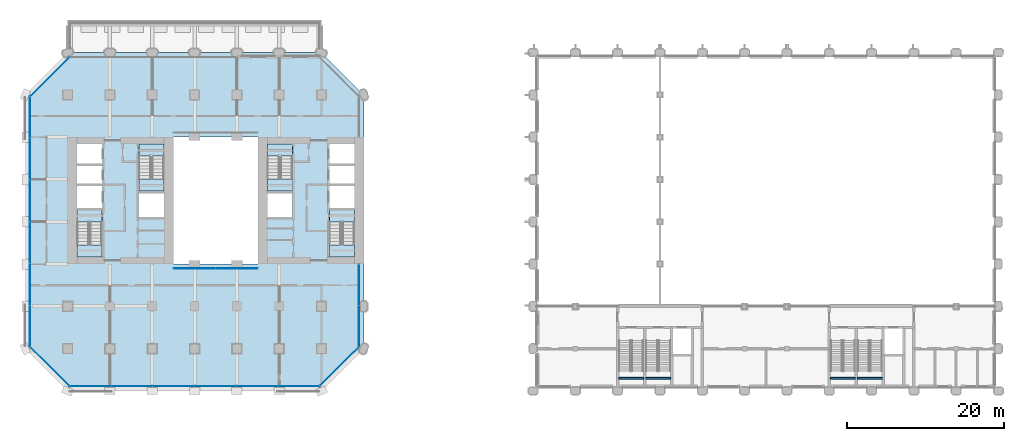
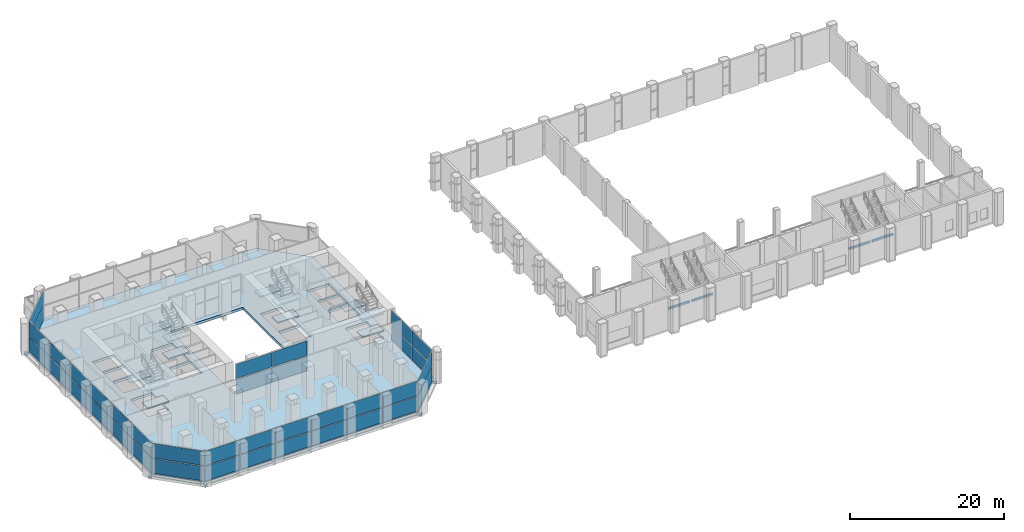
# One storey, part 10 of 27: 38 plates, 13 slabs, 4 beams, 11 elements without a shape of their own.
"""IFC4 building model written with IfcOpenShell, lengths in metres."""

import ifcopenshell
import ifcopenshell.guid

model = None  # the IFC model being written
_history = None  # IfcOwnerHistory: only IFC2X3 demands one
_inside = {}  # id of a spatial element -> (the spatial element, [elements in it])
_under = {}  # id of a project, library or spatial element -> (it, [spatial elements below it])
_declared = {}  # id of a project -> (the project, [libraries it declares])
_typed = {}  # id of a type object -> (the type object, [elements of that type])
_made_of = {}  # id of a material, layer set ... -> (it, [elements and type objects made of it])


def new_model(schema):
    """Start an empty IFC model of exactly this schema.

    Asked for "IFC4X3", IfcOpenShell would pick the latest addendum, in which some entities
    have other attributes; the version numbers below select the first issue.
    IFC2X3 requires an IfcOwnerHistory on every rooted entity: one is made here for all.
    """
    global model, _history
    if schema == "IFC4X3":
        model = ifcopenshell.file(schema_version=(4, 3, 0, 0))
    else:
        model = ifcopenshell.file(schema=schema)
    _inside.clear()
    _under.clear()
    _declared.clear()
    _typed.clear()
    _made_of.clear()
    _history = None
    if model.schema == "IFC2X3":
        org = make("IfcOrganization", Name="unknown")
        user = make(
            "IfcPersonAndOrganization",
            ThePerson=make("IfcPerson", FamilyName="unknown"),
            TheOrganization=org,
        )
        app = make(
            "IfcApplication",
            ApplicationDeveloper=org,
            Version="unknown",
            ApplicationFullName="unknown",
            ApplicationIdentifier="unknown",
        )
        _history = make(
            "IfcOwnerHistory",
            OwningUser=user,
            OwningApplication=app,
            ChangeAction="ADDED",
            CreationDate=0,
        )
    return model


def make(cls, **values):
    """One entity of the class cls with the attributes given. An attribute that is None is left unset."""
    return model.create_entity(
        cls, **{name: value for name, value in values.items() if value is not None}
    )


def rooted(cls, **values):
    """An entity with a GlobalId (a new one), such as an element, a storey or a relation."""
    return make(cls, GlobalId=ifcopenshell.guid.new(), OwnerHistory=_history, **values)


def si_unit(unit_type, name, prefix=None):
    """IfcSIUnit, for example si_unit("LENGTHUNIT", "METRE", prefix="MILLI")."""
    return make("IfcSIUnit", UnitType=unit_type, Prefix=prefix, Name=name)


def assignment(units):
    """IfcUnitAssignment: the units of a project."""
    return None if units is None else make("IfcUnitAssignment", Units=units)


def point(xyz):
    """IfcCartesianPoint."""
    return None if xyz is None else make("IfcCartesianPoint", Coordinates=xyz)


def direction(xyz):
    """IfcDirection."""
    return None if xyz is None else make("IfcDirection", DirectionRatios=xyz)


def frame(location, z_axis=None, x_axis=None):
    """IfcAxis2Placement3D, a coordinate frame: its origin and axes. An axis left out is left unset."""
    return make(
        "IfcAxis2Placement3D",
        Location=point(location),
        Axis=direction(z_axis),
        RefDirection=direction(x_axis),
    )


def frame_2d(location, x_axis=None):
    """IfcAxis2Placement2D, a coordinate frame in the plane: its origin and x axis."""
    return make(
        "IfcAxis2Placement2D", Location=point(location), RefDirection=direction(x_axis)
    )


def origin():
    """The frame at (0, 0, 0) with its axes left unset."""
    return frame((0.0, 0.0, 0.0))


def origin_2d():
    """The frame at (0, 0) in the plane with its x axis left unset."""
    return frame_2d((0.0, 0.0))


def place(relative_to, where):
    """IfcLocalPlacement: puts the frame where relative to a parent placement (None: the world)."""
    return make(
        "IfcLocalPlacement", PlacementRelTo=relative_to, RelativePlacement=where
    )


def context(
    kind, dimensions, precision=None, world=None, true_north=None, identifier=None
):
    """IfcGeometricRepresentationContext, for example the 3D "Model" context."""
    return make(
        "IfcGeometricRepresentationContext",
        ContextIdentifier=identifier,
        ContextType=kind,
        CoordinateSpaceDimension=dimensions,
        Precision=precision,
        WorldCoordinateSystem=world,
        TrueNorth=true_north,
    )


def subcontext(parent, identifier, kind, view, scale=None):
    """IfcGeometricRepresentationSubContext, for example "Body" below "Model"."""
    return make(
        "IfcGeometricRepresentationSubContext",
        ContextIdentifier=identifier,
        ContextType=kind,
        ParentContext=parent,
        TargetScale=scale,
        TargetView=view,
    )


def project(units=None, contexts=None):
    """IfcProject with its units and contexts."""
    return rooted(
        "IfcProject",
        Name="project",
        RepresentationContexts=contexts,
        UnitsInContext=assignment(units),
    )


def spatial(cls, under=None, at=None, **own):
    """A site, building, storey or space (cls), placed at a placement, below another one or the project."""
    s = rooted(cls, ObjectPlacement=at, **own)
    if under is not None:
        _under.setdefault(under.id(), (under, []))[1].append(s)
    return s


def polyline(points):
    """IfcPolyline through the points."""
    return make("IfcPolyline", Points=[point(p) for p in points])


def profile(cls, at=None, kind="AREA", **sizes):
    """A parametric profile (cls). Its sizes go by their IFC names, for example OverallWidth=200.0."""
    return make(cls, ProfileType=kind, Position=at, **sizes)


def rectangle(**sizes):
    """IfcRectangleProfileDef."""
    return profile("IfcRectangleProfileDef", **sizes)


def outline(outer, holes=None, kind="AREA"):
    """IfcArbitraryClosedProfileDef: a profile drawn as a closed curve; with holes, ...WithVoids."""
    if holes is None:
        return make("IfcArbitraryClosedProfileDef", ProfileType=kind, OuterCurve=outer)
    return make(
        "IfcArbitraryProfileDefWithVoids",
        ProfileType=kind,
        OuterCurve=outer,
        InnerCurves=holes,
    )


def extrude(swept, where, along, depth):
    """IfcExtrudedAreaSolid: the profile swept, set in the frame where, extruded along a direction by depth."""
    return make(
        "IfcExtrudedAreaSolid",
        SweptArea=swept,
        Position=where,
        ExtrudedDirection=direction(along),
        Depth=depth,
    )


def shape(context_of_items, identifier, shape_type, items):
    """IfcShapeRepresentation: the items that make up one representation, for example the "Body"."""
    return make(
        "IfcShapeRepresentation",
        ContextOfItems=context_of_items,
        RepresentationIdentifier=identifier,
        RepresentationType=shape_type,
        Items=items,
    )


def material(Name=None, Category=None):
    """IfcMaterial."""
    return make("IfcMaterial", Name=Name, Category=Category)


def layer(
    of_material, thickness, ventilated=None, Name=None, Category=None, Priority=None
):
    """IfcMaterialLayer: one layer of a wall or slab, of a material (None: an air gap)."""
    return make(
        "IfcMaterialLayer",
        Material=of_material,
        LayerThickness=thickness,
        IsVentilated=ventilated,
        Name=Name,
        Category=Category,
        Priority=Priority,
    )


def layer_set(layers, Name=None):
    """IfcMaterialLayerSet."""
    return make("IfcMaterialLayerSet", MaterialLayers=layers, LayerSetName=Name)


def material_profile(
    of_material, cross_section, Name=None, Category=None, Priority=None
):
    """IfcMaterialProfile: a cross section and its material."""
    return make(
        "IfcMaterialProfile",
        Name=Name,
        Material=of_material,
        Profile=cross_section,
        Priority=Priority,
        Category=Category,
    )


def profile_set(profiles, Name=None, composite=None):
    """IfcMaterialProfileSet."""
    return make(
        "IfcMaterialProfileSet",
        Name=Name,
        MaterialProfiles=profiles,
        CompositeProfile=composite,
    )


def made_of(thing, what):
    """Note that an element or type object is made of a material, layer set ...; save() writes the relation."""
    if what is not None:
        _made_of.setdefault(what.id(), (what, []))[1].append(thing)
    return thing


def type_object(cls, material=None, **own):
    """A type object (cls), such as IfcWallType, which elements share."""
    return made_of(rooted(cls, **own), material)


def element(
    cls,
    number,
    at=None,
    inside=None,
    cuts=None,
    type_object=None,
    material=None,
    context=None,
    identifier="Body",
    shape_type=None,
    held_by="IfcProductDefinitionShape",
    body=None,
    shapes=None,
    **own,
):
    """One element of the class cls, such as IfcWall. Its Tag is "e" and its number.

    at: its placement. inside: the storey or other place that contains it. cuts: it is an
    opening in that element (IfcRelVoidsElement). A single representation is given by context,
    identifier, shape_type and body (its items); several are given by shapes. held_by: the class
    of the entity that holds the representations. save() writes the other relations.
    """
    e = rooted(cls, Tag="e%d" % number, ObjectPlacement=at, **own)
    if body is not None:
        shapes = [shape(context, identifier, shape_type, body)]
    if shapes is not None:
        e.Representation = make(held_by, Representations=shapes)
    if inside is not None:
        _inside.setdefault(inside.id(), (inside, []))[1].append(e)
    if cuts is not None:
        rooted(
            "IfcRelVoidsElement", RelatingBuildingElement=cuts, RelatedOpeningElement=e
        )
    if type_object is not None:
        _typed.setdefault(type_object.id(), (type_object, []))[1].append(e)
    return made_of(e, material)


def aggregate(whole, parts):
    """IfcRelAggregates: a whole, such as a stair, and the parts it consists of."""
    return rooted("IfcRelAggregates", RelatingObject=whole, RelatedObjects=parts)


def save(model, path):
    """Write the relations noted so far, then the file.

    IfcRelAggregates (storeys below a building ...), IfcRelContainedInSpatialStructure (elements
    in a storey), IfcRelDefinesByType, IfcRelAssociatesMaterial and IfcRelDeclares: one each for
    every whole, place, type object, material and project.
    """
    for whole, parts in _under.values():
        aggregate(whole, parts)
    for where, things in _inside.values():
        rooted(
            "IfcRelContainedInSpatialStructure",
            RelatedElements=things,
            RelatingStructure=where,
        )
    for kind, things in _typed.values():
        rooted("IfcRelDefinesByType", RelatedObjects=things, RelatingType=kind)
    for what, things in _made_of.values():
        rooted("IfcRelAssociatesMaterial", RelatedObjects=things, RelatingMaterial=what)
    for by, libraries in _declared.values():
        rooted("IfcRelDeclares", RelatingContext=by, RelatedDefinitions=libraries)
    model.write(path)


model = new_model("IFC4")

# Units and contexts
model_context = context("Model", 3, precision=1e-05, world=origin(), true_north=direction((0.0, 1.0)))
body_context = subcontext(model_context, "Body", "Model", "MODEL_VIEW")
ifc_project = project(units=[si_unit("LENGTHUNIT", "METRE"), si_unit("AREAUNIT", "SQUARE_METRE"), si_unit("VOLUMEUNIT", "CUBIC_METRE"), si_unit("PLANEANGLEUNIT", "RADIAN"), si_unit("MASSUNIT", "GRAM", prefix="KILO")], contexts=[model_context])

# Site, building, storey
site_placement = place(None, origin())
site = spatial("IfcSite", under=ifc_project, at=site_placement, CompositionType="ELEMENT")
building_placement = place(site_placement, origin())
building = spatial("IfcBuilding", under=site, at=building_placement, Name="Tabaq Tower and Sports Hall", CompositionType="ELEMENT")
storey_placement = place(building_placement, frame((0.0, 0.0, 14.39990234375)))
storey = spatial("IfcBuildingStorey", under=building, at=storey_placement, Name="L02", CompositionType="ELEMENT", Elevation=14.39990234375)

# Beams
ifc_material_1 = material(Name="Concrete C50/60", Category="concrete")
ifc_material_profile = material_profile(ifc_material_1, rectangle(XDim=0.25, YDim=0.300048828125, at=origin_2d()), Name="RC 250x300")
ifc_profile_set = profile_set([ifc_material_profile], Name="Concrete C50/60")
beam_type = type_object("IfcBeamType", Name="HALL STAIR LANDING BEAM 250x300", PredefinedType="BEAM", material=ifc_profile_set)
beam_1_placement = place(storey_placement, frame((75.75, 1.639892578125, 2.35009765625), z_axis=(1.0, 0.0, 0.0), x_axis=(0.0, 1.0, 0.0)))
element("IfcBeam", 1, at=beam_1_placement, inside=storey, type_object=beam_type, Name="L02 ST-H1 landing beam 1", PredefinedType="BEAM", context=body_context, shape_type="SweptSolid", body=[
    extrude(rectangle(XDim=0.25, YDim=0.300048828125, at=origin_2d()), origin(), (0.0, 0.0, 1.0), 3.14990234375),
])
beam_2_placement = place(storey_placement, frame((79.199951171875, 1.639892578125, 2.35009765625), z_axis=(1.0, 0.0, 0.0), x_axis=(0.0, 1.0, 0.0)))
element("IfcBeam", 2, at=beam_2_placement, inside=storey, type_object=beam_type, Name="L02 ST-H2 landing beam 1", PredefinedType="BEAM", context=body_context, shape_type="SweptSolid", body=[
    extrude(rectangle(XDim=0.25, YDim=0.300048828125, at=origin_2d()), origin(), (0.0, 0.0, 1.0), 3.150146484375),
])
beam_3_placement = place(storey_placement, frame((102.75, 1.639892578125, 2.35009765625), z_axis=(1.0, 0.0, 0.0), x_axis=(0.0, 1.0, 0.0)))
element("IfcBeam", 3, at=beam_3_placement, inside=storey, type_object=beam_type, Name="L02 ST-H3 landing beam 1", PredefinedType="BEAM", context=body_context, shape_type="SweptSolid", body=[
    extrude(rectangle(XDim=0.25, YDim=0.300048828125, at=origin_2d()), origin(), (0.0, 0.0, 1.0), 3.14990234375),
])
beam_4_placement = place(storey_placement, frame((106.199951171875, 1.639892578125, 2.35009765625), z_axis=(1.0, 0.0, 0.0), x_axis=(0.0, 1.0, 0.0)))
element("IfcBeam", 4, at=beam_4_placement, inside=storey, type_object=beam_type, Name="L02 ST-H4 landing beam 1", PredefinedType="BEAM", context=body_context, shape_type="SweptSolid", body=[
    extrude(rectangle(XDim=0.25, YDim=0.300048828125, at=origin_2d()), origin(), (0.0, 0.0, 1.0), 3.150146484375),
])

# Curtain wall, plates
ifc_material_2 = material(Name="Aluminium alloy 6063-T6 framed glazing", Category="aluminium")
curtain_wall_type_1 = type_object("IfcCurtainWallType", Name="CW1 curtain wall", PredefinedType="USERDEFINED", material=ifc_material_2)
curtain_wall_1_placement = place(storey_placement, origin())
curtain_wall_1 = element("IfcCurtainWall", 5, at=curtain_wall_1_placement, inside=storey, type_object=curtain_wall_type_1, Name="Atrium glazing L02 S", ObjectType="ATRIUM ENCLOSURE", PredefinedType="USERDEFINED")
ifc_material_3 = material(Name="Clear low-emissivity glass 28 mm", Category="glass")
ifc_layer_1 = layer(ifc_material_3, 0.028076171875)
ifc_layer_set_1 = layer_set([ifc_layer_1], Name="CW1 glass panel 28")
plate_type_1 = type_object("IfcPlateType", Name="CW1 glass panel 28", PredefinedType="CURTAIN_PANEL", material=ifc_layer_set_1)
plate_1_placement = place(storey_placement, frame((21.614990234375, 15.64990234375, 0.14013671875), z_axis=(0.0, 0.0, 1.0), x_axis=(1.0, 0.0, 0.0)))
plate_1 = element("IfcPlate", 6, at=plate_1_placement, type_object=plate_type_1, Name="CW1 panel 1.1", PredefinedType="CURTAIN_PANEL", context=body_context, shape_type="SweptSolid", body=[
    extrude(rectangle(XDim=5.31005859375, YDim=0.028076171875, at=origin_2d()), origin(), (0.0, 0.0, 1.0), 2.2900390625),
])
plate_2_placement = place(storey_placement, frame((21.614990234375, 15.64990234375, 2.570068359375), z_axis=(0.0, 0.0, 1.0), x_axis=(1.0, 0.0, 0.0)))
plate_2 = element("IfcPlate", 7, at=plate_2_placement, type_object=plate_type_1, Name="CW1 panel 1.2", PredefinedType="CURTAIN_PANEL", context=body_context, shape_type="SweptSolid", body=[
    extrude(rectangle(XDim=5.31005859375, YDim=0.028076171875, at=origin_2d()), origin(), (0.0, 0.0, 1.0), 2.2900390625),
])
plate_3_placement = place(storey_placement, frame((26.985107421875, 15.64990234375, 0.14013671875), z_axis=(0.0, 0.0, 1.0), x_axis=(1.0, 0.0, 0.0)))
plate_3 = element("IfcPlate", 8, at=plate_3_placement, type_object=plate_type_1, Name="CW1 panel 2.1", PredefinedType="CURTAIN_PANEL", context=body_context, shape_type="SweptSolid", body=[
    extrude(rectangle(XDim=5.31005859375, YDim=0.028076171875, at=origin_2d()), origin(), (0.0, 0.0, 1.0), 2.2900390625),
])
plate_4_placement = place(storey_placement, frame((26.985107421875, 15.64990234375, 2.570068359375), z_axis=(0.0, 0.0, 1.0), x_axis=(1.0, 0.0, 0.0)))
plate_4 = element("IfcPlate", 9, at=plate_4_placement, type_object=plate_type_1, Name="CW1 panel 2.2", PredefinedType="CURTAIN_PANEL", context=body_context, shape_type="SweptSolid", body=[
    extrude(rectangle(XDim=5.31005859375, YDim=0.028076171875, at=origin_2d()), origin(), (0.0, 0.0, 1.0), 2.2900390625),
])
aggregate(curtain_wall_1, [plate_1, plate_2, plate_3, plate_4])

ifc_material_4 = material(Name="Aluminium alloy 6063-T6 framed glazing", Category="aluminium")
curtain_wall_type_2 = type_object("IfcCurtainWallType", Name="CW7 curtain wall", PredefinedType="USERDEFINED", material=ifc_material_4)
curtain_wall_2_placement = place(storey_placement, origin())
curtain_wall_2 = element("IfcCurtainWall", 10, at=curtain_wall_2_placement, inside=storey, type_object=curtain_wall_type_2, Name="Podium Wall L02 S", ObjectType="PODIUM WALL", PredefinedType="USERDEFINED")
ifc_material_5 = material(Name="Clear low-emissivity glass 28 mm", Category="glass")
ifc_layer_2 = layer(ifc_material_5, 0.030029296875)
ifc_layer_set_2 = layer_set([ifc_layer_2], Name="CW7 glass panel 30")
plate_type_2 = type_object("IfcPlateType", Name="CW7 glass panel 30", PredefinedType="CURTAIN_PANEL", material=ifc_layer_set_2)
plate_5_placement = place(storey_placement, frame((8.271484375, 0.60009765625, 0.14013671875), z_axis=(0.0, 0.0, 1.0), x_axis=(1.0, 0.0, 0.0)))
plate_5 = element("IfcPlate", 11, at=plate_5_placement, type_object=plate_type_2, Name="CW7 panel 1.1", PredefinedType="CURTAIN_PANEL", context=body_context, shape_type="SweptSolid", body=[
    extrude(rectangle(XDim=5.240478515625, YDim=0.030029296875, at=origin_2d()), origin(), (0.0, 0.0, 1.0), 2.2900390625),
])
plate_6_placement = place(storey_placement, frame((8.271484375, 0.60009765625, 2.570068359375), z_axis=(0.0, 0.0, 1.0), x_axis=(1.0, 0.0, 0.0)))
plate_6 = element("IfcPlate", 12, at=plate_6_placement, type_object=plate_type_2, Name="CW7 panel 1.2", PredefinedType="CURTAIN_PANEL", context=body_context, shape_type="SweptSolid", body=[
    extrude(rectangle(XDim=5.240478515625, YDim=0.030029296875, at=origin_2d()), origin(), (0.0, 0.0, 1.0), 2.2900390625),
])
plate_7_placement = place(storey_placement, frame((13.59326171875, 0.60009765625, 0.14013671875), z_axis=(0.0, 0.0, 1.0), x_axis=(1.0, 0.0, 0.0)))
plate_7 = element("IfcPlate", 13, at=plate_7_placement, type_object=plate_type_2, Name="CW7 panel 2.1", PredefinedType="CURTAIN_PANEL", context=body_context, shape_type="SweptSolid", body=[
    extrude(rectangle(XDim=5.27294921875, YDim=0.030029296875, at=origin_2d()), origin(), (0.0, 0.0, 1.0), 2.2900390625),
])
plate_8_placement = place(storey_placement, frame((13.59326171875, 0.60009765625, 2.570068359375), z_axis=(0.0, 0.0, 1.0), x_axis=(1.0, 0.0, 0.0)))
plate_8 = element("IfcPlate", 14, at=plate_8_placement, type_object=plate_type_2, Name="CW7 panel 2.2", PredefinedType="CURTAIN_PANEL", context=body_context, shape_type="SweptSolid", body=[
    extrude(rectangle(XDim=5.27294921875, YDim=0.030029296875, at=origin_2d()), origin(), (0.0, 0.0, 1.0), 2.2900390625),
])
plate_9_placement = place(storey_placement, frame((18.93115234375, 0.60009765625, 0.14013671875), z_axis=(0.0, 0.0, 1.0), x_axis=(1.0, 0.0, 0.0)))
plate_9 = element("IfcPlate", 15, at=plate_9_placement, type_object=plate_type_2, Name="CW7 panel 3.1", PredefinedType="CURTAIN_PANEL", context=body_context, shape_type="SweptSolid", body=[
    extrude(rectangle(XDim=5.27294921875, YDim=0.030029296875, at=origin_2d()), origin(), (0.0, 0.0, 1.0), 2.2900390625),
])
plate_10_placement = place(storey_placement, frame((18.93115234375, 0.60009765625, 2.570068359375), z_axis=(0.0, 0.0, 1.0), x_axis=(1.0, 0.0, 0.0)))
plate_10 = element("IfcPlate", 16, at=plate_10_placement, type_object=plate_type_2, Name="CW7 panel 3.2", PredefinedType="CURTAIN_PANEL", context=body_context, shape_type="SweptSolid", body=[
    extrude(rectangle(XDim=5.27294921875, YDim=0.030029296875, at=origin_2d()), origin(), (0.0, 0.0, 1.0), 2.2900390625),
])
plate_11_placement = place(storey_placement, frame((24.26904296875, 0.60009765625, 0.14013671875), z_axis=(0.0, 0.0, 1.0), x_axis=(1.0, 0.0, 0.0)))
plate_11 = element("IfcPlate", 17, at=plate_11_placement, type_object=plate_type_2, Name="CW7 panel 4.1", PredefinedType="CURTAIN_PANEL", context=body_context, shape_type="SweptSolid", body=[
    extrude(rectangle(XDim=5.27294921875, YDim=0.030029296875, at=origin_2d()), origin(), (0.0, 0.0, 1.0), 2.2900390625),
])
plate_12_placement = place(storey_placement, frame((24.26904296875, 0.60009765625, 2.570068359375), z_axis=(0.0, 0.0, 1.0), x_axis=(1.0, 0.0, 0.0)))
plate_12 = element("IfcPlate", 18, at=plate_12_placement, type_object=plate_type_2, Name="CW7 panel 4.2", PredefinedType="CURTAIN_PANEL", context=body_context, shape_type="SweptSolid", body=[
    extrude(rectangle(XDim=5.27294921875, YDim=0.030029296875, at=origin_2d()), origin(), (0.0, 0.0, 1.0), 2.2900390625),
])
plate_13_placement = place(storey_placement, frame((29.606689453125, 0.60009765625, 0.14013671875), z_axis=(0.0, 0.0, 1.0), x_axis=(1.0, 0.0, 0.0)))
plate_13 = element("IfcPlate", 19, at=plate_13_placement, type_object=plate_type_2, Name="CW7 panel 5.1", PredefinedType="CURTAIN_PANEL", context=body_context, shape_type="SweptSolid", body=[
    extrude(rectangle(XDim=5.27294921875, YDim=0.030029296875, at=origin_2d()), origin(), (0.0, 0.0, 1.0), 2.2900390625),
])
plate_14_placement = place(storey_placement, frame((29.606689453125, 0.60009765625, 2.570068359375), z_axis=(0.0, 0.0, 1.0), x_axis=(1.0, 0.0, 0.0)))
plate_14 = element("IfcPlate", 20, at=plate_14_placement, type_object=plate_type_2, Name="CW7 panel 5.2", PredefinedType="CURTAIN_PANEL", context=body_context, shape_type="SweptSolid", body=[
    extrude(rectangle(XDim=5.27294921875, YDim=0.030029296875, at=origin_2d()), origin(), (0.0, 0.0, 1.0), 2.2900390625),
])
plate_15_placement = place(storey_placement, frame((34.928466796875, 0.60009765625, 0.14013671875), z_axis=(0.0, 0.0, 1.0), x_axis=(1.0, 0.0, 0.0)))
plate_15 = element("IfcPlate", 21, at=plate_15_placement, type_object=plate_type_2, Name="CW7 panel 6.1", PredefinedType="CURTAIN_PANEL", context=body_context, shape_type="SweptSolid", body=[
    extrude(rectangle(XDim=5.240478515625, YDim=0.030029296875, at=origin_2d()), origin(), (0.0, 0.0, 1.0), 2.2900390625),
])
plate_16_placement = place(storey_placement, frame((34.928466796875, 0.60009765625, 2.570068359375), z_axis=(0.0, 0.0, 1.0), x_axis=(1.0, 0.0, 0.0)))
plate_16 = element("IfcPlate", 22, at=plate_16_placement, type_object=plate_type_2, Name="CW7 panel 6.2", PredefinedType="CURTAIN_PANEL", context=body_context, shape_type="SweptSolid", body=[
    extrude(rectangle(XDim=5.240478515625, YDim=0.030029296875, at=origin_2d()), origin(), (0.0, 0.0, 1.0), 2.2900390625),
])
aggregate(curtain_wall_2, [plate_5, plate_6, plate_7, plate_8, plate_9, plate_10, plate_11, plate_12, plate_13, plate_14, plate_15, plate_16])

curtain_wall_3_placement = place(storey_placement, origin())
curtain_wall_3 = element("IfcCurtainWall", 23, at=curtain_wall_3_placement, inside=storey, type_object=curtain_wall_type_2, Name="Podium Wall L02 SE", ObjectType="PODIUM WALL", PredefinedType="USERDEFINED")
plate_17_placement = place(storey_placement, frame((40.07568359375, 3.124267578125, 0.14013671875), z_axis=(0.0, 0.0, 1.0), x_axis=(0.707106781187, 0.707106781187, 0.0)))
plate_17 = element("IfcPlate", 24, at=plate_17_placement, type_object=plate_type_2, Name="CW7 panel 1.1", PredefinedType="CURTAIN_PANEL", context=body_context, shape_type="SweptSolid", body=[
    extrude(rectangle(XDim=7.009765625, YDim=0.030029296875, at=origin_2d()), origin(), (0.0, 0.0, 1.0), 2.2900390625),
])
plate_18_placement = place(storey_placement, frame((40.07568359375, 3.124267578125, 2.570068359375), z_axis=(0.0, 0.0, 1.0), x_axis=(0.707106781187, 0.707106781187, 0.0)))
plate_18 = element("IfcPlate", 25, at=plate_18_placement, type_object=plate_type_2, Name="CW7 panel 1.2", PredefinedType="CURTAIN_PANEL", context=body_context, shape_type="SweptSolid", body=[
    extrude(rectangle(XDim=7.009765625, YDim=0.030029296875, at=origin_2d()), origin(), (0.0, 0.0, 1.0), 2.2900390625),
])
aggregate(curtain_wall_3, [plate_17, plate_18])

curtain_wall_4_placement = place(storey_placement, origin())
curtain_wall_4 = element("IfcCurtainWall", 26, at=curtain_wall_4_placement, inside=storey, type_object=curtain_wall_type_2, Name="Podium Wall L02 E", ObjectType="PODIUM WALL", PredefinedType="USERDEFINED")
plate_19_placement = place(storey_placement, frame((42.60009765625, 8.256103515625, 0.14013671875), z_axis=(0.0, 0.0, 1.0), x_axis=(0.0, 1.0, 0.0)))
plate_19 = element("IfcPlate", 27, at=plate_19_placement, type_object=plate_type_2, Name="CW7 panel 1.1", PredefinedType="CURTAIN_PANEL", context=body_context, shape_type="SweptSolid", body=[
    extrude(rectangle(XDim=5.209228515625, YDim=0.030029296875, at=origin_2d()), origin(), (0.0, 0.0, 1.0), 2.2900390625),
])
plate_20_placement = place(storey_placement, frame((42.60009765625, 8.256103515625, 2.570068359375), z_axis=(0.0, 0.0, 1.0), x_axis=(0.0, 1.0, 0.0)))
plate_20 = element("IfcPlate", 28, at=plate_20_placement, type_object=plate_type_2, Name="CW7 panel 1.2", PredefinedType="CURTAIN_PANEL", context=body_context, shape_type="SweptSolid", body=[
    extrude(rectangle(XDim=5.209228515625, YDim=0.030029296875, at=origin_2d()), origin(), (0.0, 0.0, 1.0), 2.2900390625),
])
plate_21_placement = place(storey_placement, frame((42.60009765625, 13.5302734375, 0.14013671875), z_axis=(0.0, 0.0, 1.0), x_axis=(0.0, 1.0, 0.0)))
plate_21 = element("IfcPlate", 29, at=plate_21_placement, type_object=plate_type_2, Name="CW7 panel 2.1", PredefinedType="CURTAIN_PANEL", context=body_context, shape_type="SweptSolid", body=[
    extrude(rectangle(XDim=5.209228515625, YDim=0.030029296875, at=origin_2d()), origin(), (0.0, 0.0, 1.0), 2.2900390625),
])
plate_22_placement = place(storey_placement, frame((42.60009765625, 13.5302734375, 2.570068359375), z_axis=(0.0, 0.0, 1.0), x_axis=(0.0, 1.0, 0.0)))
plate_22 = element("IfcPlate", 30, at=plate_22_placement, type_object=plate_type_2, Name="CW7 panel 2.2", PredefinedType="CURTAIN_PANEL", context=body_context, shape_type="SweptSolid", body=[
    extrude(rectangle(XDim=5.209228515625, YDim=0.030029296875, at=origin_2d()), origin(), (0.0, 0.0, 1.0), 2.2900390625),
])
aggregate(curtain_wall_4, [plate_19, plate_20, plate_21, plate_22])

curtain_wall_5_placement = place(storey_placement, origin())
curtain_wall_5 = element("IfcCurtainWall", 31, at=curtain_wall_5_placement, inside=storey, type_object=curtain_wall_type_2, Name="Podium Wall L02 NW", ObjectType="PODIUM WALL", PredefinedType="USERDEFINED")
plate_23_placement = place(storey_placement, frame((3.124267578125, 40.07568359375, 0.14013671875), z_axis=(0.0, 0.0, 1.0), x_axis=(-0.707106781187, -0.707106781187, 0.0)))
plate_23 = element("IfcPlate", 32, at=plate_23_placement, type_object=plate_type_2, Name="CW7 panel 1.1", PredefinedType="CURTAIN_PANEL", context=body_context, shape_type="SweptSolid", body=[
    extrude(rectangle(XDim=7.009765625, YDim=0.030029296875, at=origin_2d()), origin(), (0.0, 0.0, 1.0), 2.2900390625),
])
plate_24_placement = place(storey_placement, frame((3.124267578125, 40.07568359375, 2.570068359375), z_axis=(0.0, 0.0, 1.0), x_axis=(-0.707106781187, -0.707106781187, 0.0)))
plate_24 = element("IfcPlate", 33, at=plate_24_placement, type_object=plate_type_2, Name="CW7 panel 1.2", PredefinedType="CURTAIN_PANEL", context=body_context, shape_type="SweptSolid", body=[
    extrude(rectangle(XDim=7.009765625, YDim=0.030029296875, at=origin_2d()), origin(), (0.0, 0.0, 1.0), 2.2900390625),
])
aggregate(curtain_wall_5, [plate_23, plate_24])

curtain_wall_6_placement = place(storey_placement, origin())
curtain_wall_6 = element("IfcCurtainWall", 34, at=curtain_wall_6_placement, inside=storey, type_object=curtain_wall_type_2, Name="Podium Wall L02 W", ObjectType="PODIUM WALL", PredefinedType="USERDEFINED")
plate_25_placement = place(storey_placement, frame((0.60009765625, 34.928466796875, 0.14013671875), z_axis=(0.0, 0.0, 1.0), x_axis=(0.0, -1.0, 0.0)))
plate_25 = element("IfcPlate", 35, at=plate_25_placement, type_object=plate_type_2, Name="CW7 panel 1.1", PredefinedType="CURTAIN_PANEL", context=body_context, shape_type="SweptSolid", body=[
    extrude(rectangle(XDim=5.240478515625, YDim=0.030029296875, at=origin_2d()), origin(), (0.0, 0.0, 1.0), 2.2900390625),
])
plate_26_placement = place(storey_placement, frame((0.60009765625, 34.928466796875, 2.570068359375), z_axis=(0.0, 0.0, 1.0), x_axis=(0.0, -1.0, 0.0)))
plate_26 = element("IfcPlate", 36, at=plate_26_placement, type_object=plate_type_2, Name="CW7 panel 1.2", PredefinedType="CURTAIN_PANEL", context=body_context, shape_type="SweptSolid", body=[
    extrude(rectangle(XDim=5.240478515625, YDim=0.030029296875, at=origin_2d()), origin(), (0.0, 0.0, 1.0), 2.2900390625),
])
plate_27_placement = place(storey_placement, frame((0.60009765625, 29.606689453125, 0.14013671875), z_axis=(0.0, 0.0, 1.0), x_axis=(0.0, -1.0, 0.0)))
plate_27 = element("IfcPlate", 37, at=plate_27_placement, type_object=plate_type_2, Name="CW7 panel 2.1", PredefinedType="CURTAIN_PANEL", context=body_context, shape_type="SweptSolid", body=[
    extrude(rectangle(XDim=5.27294921875, YDim=0.030029296875, at=origin_2d()), origin(), (0.0, 0.0, 1.0), 2.2900390625),
])
plate_28_placement = place(storey_placement, frame((0.60009765625, 29.606689453125, 2.570068359375), z_axis=(0.0, 0.0, 1.0), x_axis=(0.0, -1.0, 0.0)))
plate_28 = element("IfcPlate", 38, at=plate_28_placement, type_object=plate_type_2, Name="CW7 panel 2.2", PredefinedType="CURTAIN_PANEL", context=body_context, shape_type="SweptSolid", body=[
    extrude(rectangle(XDim=5.27294921875, YDim=0.030029296875, at=origin_2d()), origin(), (0.0, 0.0, 1.0), 2.2900390625),
])
plate_29_placement = place(storey_placement, frame((0.60009765625, 24.26904296875, 0.14013671875), z_axis=(0.0, 0.0, 1.0), x_axis=(0.0, -1.0, 0.0)))
plate_29 = element("IfcPlate", 39, at=plate_29_placement, type_object=plate_type_2, Name="CW7 panel 3.1", PredefinedType="CURTAIN_PANEL", context=body_context, shape_type="SweptSolid", body=[
    extrude(rectangle(XDim=5.27294921875, YDim=0.030029296875, at=origin_2d()), origin(), (0.0, 0.0, 1.0), 2.2900390625),
])
plate_30_placement = place(storey_placement, frame((0.60009765625, 24.26904296875, 2.570068359375), z_axis=(0.0, 0.0, 1.0), x_axis=(0.0, -1.0, 0.0)))
plate_30 = element("IfcPlate", 40, at=plate_30_placement, type_object=plate_type_2, Name="CW7 panel 3.2", PredefinedType="CURTAIN_PANEL", context=body_context, shape_type="SweptSolid", body=[
    extrude(rectangle(XDim=5.27294921875, YDim=0.030029296875, at=origin_2d()), origin(), (0.0, 0.0, 1.0), 2.2900390625),
])
plate_31_placement = place(storey_placement, frame((0.60009765625, 18.93115234375, 0.14013671875), z_axis=(0.0, 0.0, 1.0), x_axis=(0.0, -1.0, 0.0)))
plate_31 = element("IfcPlate", 41, at=plate_31_placement, type_object=plate_type_2, Name="CW7 panel 4.1", PredefinedType="CURTAIN_PANEL", context=body_context, shape_type="SweptSolid", body=[
    extrude(rectangle(XDim=5.27294921875, YDim=0.030029296875, at=origin_2d()), origin(), (0.0, 0.0, 1.0), 2.2900390625),
])
plate_32_placement = place(storey_placement, frame((0.60009765625, 18.93115234375, 2.570068359375), z_axis=(0.0, 0.0, 1.0), x_axis=(0.0, -1.0, 0.0)))
plate_32 = element("IfcPlate", 42, at=plate_32_placement, type_object=plate_type_2, Name="CW7 panel 4.2", PredefinedType="CURTAIN_PANEL", context=body_context, shape_type="SweptSolid", body=[
    extrude(rectangle(XDim=5.27294921875, YDim=0.030029296875, at=origin_2d()), origin(), (0.0, 0.0, 1.0), 2.2900390625),
])
plate_33_placement = place(storey_placement, frame((0.60009765625, 13.59326171875, 0.14013671875), z_axis=(0.0, 0.0, 1.0), x_axis=(0.0, -1.0, 0.0)))
plate_33 = element("IfcPlate", 43, at=plate_33_placement, type_object=plate_type_2, Name="CW7 panel 5.1", PredefinedType="CURTAIN_PANEL", context=body_context, shape_type="SweptSolid", body=[
    extrude(rectangle(XDim=5.27294921875, YDim=0.030029296875, at=origin_2d()), origin(), (0.0, 0.0, 1.0), 2.2900390625),
])
plate_34_placement = place(storey_placement, frame((0.60009765625, 13.59326171875, 2.570068359375), z_axis=(0.0, 0.0, 1.0), x_axis=(0.0, -1.0, 0.0)))
plate_34 = element("IfcPlate", 44, at=plate_34_placement, type_object=plate_type_2, Name="CW7 panel 5.2", PredefinedType="CURTAIN_PANEL", context=body_context, shape_type="SweptSolid", body=[
    extrude(rectangle(XDim=5.27294921875, YDim=0.030029296875, at=origin_2d()), origin(), (0.0, 0.0, 1.0), 2.2900390625),
])
plate_35_placement = place(storey_placement, frame((0.60009765625, 8.271484375, 0.14013671875), z_axis=(0.0, 0.0, 1.0), x_axis=(0.0, -1.0, 0.0)))
plate_35 = element("IfcPlate", 45, at=plate_35_placement, type_object=plate_type_2, Name="CW7 panel 6.1", PredefinedType="CURTAIN_PANEL", context=body_context, shape_type="SweptSolid", body=[
    extrude(rectangle(XDim=5.240478515625, YDim=0.030029296875, at=origin_2d()), origin(), (0.0, 0.0, 1.0), 2.2900390625),
])
plate_36_placement = place(storey_placement, frame((0.60009765625, 8.271484375, 2.570068359375), z_axis=(0.0, 0.0, 1.0), x_axis=(0.0, -1.0, 0.0)))
plate_36 = element("IfcPlate", 46, at=plate_36_placement, type_object=plate_type_2, Name="CW7 panel 6.2", PredefinedType="CURTAIN_PANEL", context=body_context, shape_type="SweptSolid", body=[
    extrude(rectangle(XDim=5.240478515625, YDim=0.030029296875, at=origin_2d()), origin(), (0.0, 0.0, 1.0), 2.2900390625),
])
aggregate(curtain_wall_6, [plate_25, plate_26, plate_27, plate_28, plate_29, plate_30, plate_31, plate_32, plate_33, plate_34, plate_35, plate_36])

curtain_wall_7_placement = place(storey_placement, origin())
curtain_wall_7 = element("IfcCurtainWall", 47, at=curtain_wall_7_placement, inside=storey, type_object=curtain_wall_type_2, Name="Podium Wall L02 SW", ObjectType="PODIUM WALL", PredefinedType="USERDEFINED")
plate_37_placement = place(storey_placement, frame((3.124267578125, 3.124267578125, 0.14013671875), z_axis=(0.0, 0.0, 1.0), x_axis=(0.707106781187, -0.707106781187, 0.0)))
plate_37 = element("IfcPlate", 48, at=plate_37_placement, type_object=plate_type_2, Name="CW7 panel 1.1", PredefinedType="CURTAIN_PANEL", context=body_context, shape_type="SweptSolid", body=[
    extrude(rectangle(XDim=7.009765625, YDim=0.030029296875, at=origin_2d()), origin(), (0.0, 0.0, 1.0), 2.2900390625),
])
plate_38_placement = place(storey_placement, frame((3.124267578125, 3.124267578125, 2.570068359375), z_axis=(0.0, 0.0, 1.0), x_axis=(0.707106781187, -0.707106781187, 0.0)))
plate_38 = element("IfcPlate", 49, at=plate_38_placement, type_object=plate_type_2, Name="CW7 panel 1.2", PredefinedType="CURTAIN_PANEL", context=body_context, shape_type="SweptSolid", body=[
    extrude(rectangle(XDim=7.009765625, YDim=0.030029296875, at=origin_2d()), origin(), (0.0, 0.0, 1.0), 2.2900390625),
])
aggregate(curtain_wall_7, [plate_37, plate_38])

# Stair, slabs
ifc_material_6 = material(Name="Concrete C40/50", Category="concrete")
stair_type = type_object("IfcStairType", Name="Exit stair", PredefinedType="HALF_TURN_STAIR", material=ifc_material_6)
stair_1_placement = place(storey_placement, origin())
stair_1 = element("IfcStair", 50, at=stair_1_placement, inside=storey, type_object=stair_type, Name="L02 Exit stair ST1", PredefinedType="HALF_TURN_STAIR")
ifc_material_7 = material(Name="Concrete C40/50", Category="concrete")
ifc_layer_3 = layer(ifc_material_7, 0.199951171875)
ifc_layer_set_3 = layer_set([ifc_layer_3], Name="Exit stair landing")
slab_type_1 = type_object("IfcSlabType", Name="Exit stair landing", PredefinedType="LANDING", material=ifc_layer_set_3)
slab_1_placement = place(storey_placement, frame((0.0, 0.0, 1.150146484375)))
slab_1 = element("IfcSlab", 51, at=slab_1_placement, type_object=slab_type_1, Name="ST1 landing 1", PredefinedType="LANDING", context=body_context, shape_type="SweptSolid", body=[
    extrude(outline(polyline([(6.60009765625, 18.659912109375), (6.60009765625, 17.10009765625), (9.800048828125, 17.10009765625), (9.800048828125, 18.659912109375), (6.60009765625, 18.659912109375)])), origin(), (0.0, 0.0, 1.0), 0.199951171875),
])
slab_2_placement = place(storey_placement, frame((0.0, 0.0, 2.5)))
slab_2 = element("IfcSlab", 52, at=slab_2_placement, type_object=slab_type_1, Name="ST1 landing 2", PredefinedType="LANDING", context=body_context, shape_type="SweptSolid", body=[
    extrude(outline(polyline([(6.60009765625, 23.10009765625), (6.60009765625, 21.60009765625), (9.800048828125, 21.60009765625), (9.800048828125, 23.10009765625), (6.60009765625, 23.10009765625)])), origin(), (0.0, 0.0, 1.0), 0.2001953125),
])
slab_3_placement = place(storey_placement, frame((0.0, 0.0, 3.85009765625)))
slab_3 = element("IfcSlab", 53, at=slab_3_placement, type_object=slab_type_1, Name="ST1 landing 3", PredefinedType="LANDING", context=body_context, shape_type="SweptSolid", body=[
    extrude(outline(polyline([(6.60009765625, 18.659912109375), (6.60009765625, 17.10009765625), (9.800048828125, 17.10009765625), (9.800048828125, 18.659912109375), (6.60009765625, 18.659912109375)])), origin(), (0.0, 0.0, 1.0), 0.199951171875),
])
aggregate(stair_1, [slab_1, slab_2, slab_3])

stair_2_placement = place(storey_placement, origin())
stair_2 = element("IfcStair", 54, at=stair_2_placement, inside=storey, type_object=stair_type, Name="L02 Exit stair ST2", PredefinedType="HALF_TURN_STAIR")
slab_4_placement = place(storey_placement, frame((0.0, 0.0, 1.150146484375)))
slab_4 = element("IfcSlab", 55, at=slab_4_placement, type_object=slab_type_1, Name="ST2 landing 1", PredefinedType="LANDING", context=body_context, shape_type="SweptSolid", body=[
    extrude(outline(polyline([(14.5, 27.06005859375), (14.5, 25.5), (17.699951171875, 25.5), (17.699951171875, 27.06005859375), (14.5, 27.06005859375)])), origin(), (0.0, 0.0, 1.0), 0.199951171875),
])
slab_5_placement = place(storey_placement, frame((0.0, 0.0, 2.5)))
slab_5 = element("IfcSlab", 56, at=slab_5_placement, type_object=slab_type_1, Name="ST2 landing 2", PredefinedType="LANDING", context=body_context, shape_type="SweptSolid", body=[
    extrude(outline(polyline([(14.5, 31.5), (14.5, 30.0), (17.699951171875, 30.0), (17.699951171875, 31.5), (14.5, 31.5)])), origin(), (0.0, 0.0, 1.0), 0.2001953125),
])
slab_6_placement = place(storey_placement, frame((0.0, 0.0, 3.85009765625)))
slab_6 = element("IfcSlab", 57, at=slab_6_placement, type_object=slab_type_1, Name="ST2 landing 3", PredefinedType="LANDING", context=body_context, shape_type="SweptSolid", body=[
    extrude(outline(polyline([(14.5, 27.06005859375), (14.5, 25.5), (17.699951171875, 25.5), (17.699951171875, 27.06005859375), (14.5, 27.06005859375)])), origin(), (0.0, 0.0, 1.0), 0.199951171875),
])
aggregate(stair_2, [slab_4, slab_5, slab_6])

stair_3_placement = place(storey_placement, origin())
stair_3 = element("IfcStair", 58, at=stair_3_placement, inside=storey, type_object=stair_type, Name="L02 Exit stair ST3", PredefinedType="HALF_TURN_STAIR")
slab_7_placement = place(storey_placement, frame((0.0, 0.0, 1.150146484375)))
slab_7 = element("IfcSlab", 59, at=slab_7_placement, type_object=slab_type_1, Name="ST3 landing 1", PredefinedType="LANDING", context=body_context, shape_type="SweptSolid", body=[
    extrude(outline(polyline([(38.800048828125, 18.659912109375), (38.800048828125, 17.10009765625), (42.0, 17.10009765625), (42.0, 18.659912109375), (38.800048828125, 18.659912109375)])), origin(), (0.0, 0.0, 1.0), 0.199951171875),
])
slab_8_placement = place(storey_placement, frame((0.0, 0.0, 2.5)))
slab_8 = element("IfcSlab", 60, at=slab_8_placement, type_object=slab_type_1, Name="ST3 landing 2", PredefinedType="LANDING", context=body_context, shape_type="SweptSolid", body=[
    extrude(outline(polyline([(38.800048828125, 23.10009765625), (38.800048828125, 21.60009765625), (42.0, 21.60009765625), (42.0, 23.10009765625), (38.800048828125, 23.10009765625)])), origin(), (0.0, 0.0, 1.0), 0.2001953125),
])
slab_9_placement = place(storey_placement, frame((0.0, 0.0, 3.85009765625)))
slab_9 = element("IfcSlab", 61, at=slab_9_placement, type_object=slab_type_1, Name="ST3 landing 3", PredefinedType="LANDING", context=body_context, shape_type="SweptSolid", body=[
    extrude(outline(polyline([(38.800048828125, 18.659912109375), (38.800048828125, 17.10009765625), (42.0, 17.10009765625), (42.0, 18.659912109375), (38.800048828125, 18.659912109375)])), origin(), (0.0, 0.0, 1.0), 0.199951171875),
])
aggregate(stair_3, [slab_7, slab_8, slab_9])

stair_4_placement = place(storey_placement, origin())
stair_4 = element("IfcStair", 62, at=stair_4_placement, inside=storey, type_object=stair_type, Name="L02 Exit stair ST4", PredefinedType="HALF_TURN_STAIR")
slab_10_placement = place(storey_placement, frame((0.0, 0.0, 1.150146484375)))
slab_10 = element("IfcSlab", 63, at=slab_10_placement, type_object=slab_type_1, Name="ST4 landing 1", PredefinedType="LANDING", context=body_context, shape_type="SweptSolid", body=[
    extrude(outline(polyline([(30.89990234375, 27.06005859375), (30.89990234375, 25.5), (34.10009765625, 25.5), (34.10009765625, 27.06005859375), (30.89990234375, 27.06005859375)])), origin(), (0.0, 0.0, 1.0), 0.199951171875),
])
slab_11_placement = place(storey_placement, frame((0.0, 0.0, 2.5)))
slab_11 = element("IfcSlab", 64, at=slab_11_placement, type_object=slab_type_1, Name="ST4 landing 2", PredefinedType="LANDING", context=body_context, shape_type="SweptSolid", body=[
    extrude(outline(polyline([(30.89990234375, 31.5), (30.89990234375, 30.0), (34.10009765625, 30.0), (34.10009765625, 31.5), (30.89990234375, 31.5)])), origin(), (0.0, 0.0, 1.0), 0.2001953125),
])
slab_12_placement = place(storey_placement, frame((0.0, 0.0, 3.85009765625)))
slab_12 = element("IfcSlab", 65, at=slab_12_placement, type_object=slab_type_1, Name="ST4 landing 3", PredefinedType="LANDING", context=body_context, shape_type="SweptSolid", body=[
    extrude(outline(polyline([(30.89990234375, 27.06005859375), (30.89990234375, 25.5), (34.10009765625, 25.5), (34.10009765625, 27.06005859375), (30.89990234375, 27.06005859375)])), origin(), (0.0, 0.0, 1.0), 0.199951171875),
])
aggregate(stair_4, [slab_10, slab_11, slab_12])

# Slab
ifc_material_8 = material(Name="Concrete C40/50", Category="concrete")
ifc_layer_4 = layer(ifc_material_8, 0.39990234375)
ifc_layer_set_4 = layer_set([ifc_layer_4], Name="PT FLOOR SLAB 400 C40/50")
slab_type_2 = type_object("IfcSlabType", Name="PT FLOOR SLAB 400 C40/50", PredefinedType="FLOOR", material=ifc_layer_set_4)
slab_13_placement = place(storey_placement, frame((0.0, 0.0, -0.39990234375)))
element("IfcSlab", 66, at=slab_13_placement, inside=storey, type_object=slab_type_2, Name="Floor Slab L02", PredefinedType="FLOOR", context=body_context, shape_type="SweptSolid", body=[
    extrude(outline(polyline([(0.0, 5.698486328125), (0.0, 5.39990234375), (0.211181640625, 5.18896484375), (0.63525390625, 5.61328125), (5.61328125, 0.63525390625), (5.18896484375, 0.211181640625), (5.39990234375, 0.0), (5.698486328125, 0.0), (5.698486328125, 0.5), (5.698486328125, 0.60009765625), (37.50146484375, 0.60009765625), (37.50146484375, 0.5), (37.50146484375, 0.0), (37.800048828125, 0.0), (38.010986328125, 0.211181640625), (37.5869140625, 0.63525390625), (42.598876953125, 5.6474609375), (42.669677734375, 5.57666015625), (43.023193359375, 5.22314453125), (43.199951171875, 5.39990234375), (43.199951171875, 37.800048828125), (37.800048828125, 43.199951171875), (5.39990234375, 43.199951171875), (5.22314453125, 43.023193359375), (5.57666015625, 42.669677734375), (5.6474609375, 42.598876953125), (0.63525390625, 37.5869140625), (0.211181640625, 38.010986328125), (0.0, 37.800048828125), (0.0, 37.50146484375), (0.5, 37.50146484375), (0.60009765625, 37.50146484375), (0.60009765625, 5.698486328125), (0.5, 5.698486328125), (0.0, 5.698486328125)]), holes=[polyline([(6.60009765625, 21.599365234375), (9.800048828125, 21.599365234375), (9.800048828125, 17.10009765625), (6.60009765625, 17.10009765625), (6.60009765625, 21.599365234375)]), polyline([(17.699951171875, 25.25), (17.699951171875, 22.199951171875), (14.5, 22.199951171875), (14.5, 25.25), (17.699951171875, 25.25)]), polyline([(18.89990234375, 32.39990234375), (29.699951171875, 32.39990234375), (29.699951171875, 16.199951171875), (18.89990234375, 16.199951171875), (18.89990234375, 32.39990234375)]), polyline([(6.60009765625, 26.175048828125), (9.800048828125, 26.175048828125), (9.800048828125, 23.35009765625), (6.60009765625, 23.35009765625), (6.60009765625, 26.175048828125)]), polyline([(9.800048828125, 28.72509765625), (9.800048828125, 26.425048828125), (6.60009765625, 26.425048828125), (6.60009765625, 28.72509765625), (9.800048828125, 28.72509765625)]), polyline([(17.699951171875, 29.99951171875), (17.699951171875, 25.5), (14.5, 25.5), (14.5, 29.99951171875), (17.699951171875, 29.99951171875)]), polyline([(6.60009765625, 31.5), (9.800048828125, 31.5), (9.800048828125, 28.97509765625), (6.60009765625, 28.97509765625), (6.60009765625, 31.5)]), polyline([(42.0, 21.599365234375), (42.0, 17.10009765625), (38.800048828125, 17.10009765625), (38.800048828125, 21.599365234375), (42.0, 21.599365234375)]), polyline([(34.10009765625, 25.25), (34.10009765625, 22.199951171875), (30.89990234375, 22.199951171875), (30.89990234375, 25.25), (34.10009765625, 25.25)]), polyline([(42.0, 26.175048828125), (42.0, 23.35009765625), (38.800048828125, 23.35009765625), (38.800048828125, 26.175048828125), (42.0, 26.175048828125)]), polyline([(42.0, 28.72509765625), (42.0, 26.425048828125), (38.800048828125, 26.425048828125), (38.800048828125, 28.72509765625), (42.0, 28.72509765625)]), polyline([(34.10009765625, 29.99951171875), (34.10009765625, 25.5), (30.89990234375, 25.5), (30.89990234375, 29.99951171875), (34.10009765625, 29.99951171875)]), polyline([(42.0, 31.5), (42.0, 28.97509765625), (38.800048828125, 28.97509765625), (38.800048828125, 31.5), (42.0, 31.5)])]), origin(), (0.0, 0.0, 1.0), 0.39990234375),
])

save(model, "model.ifc")
